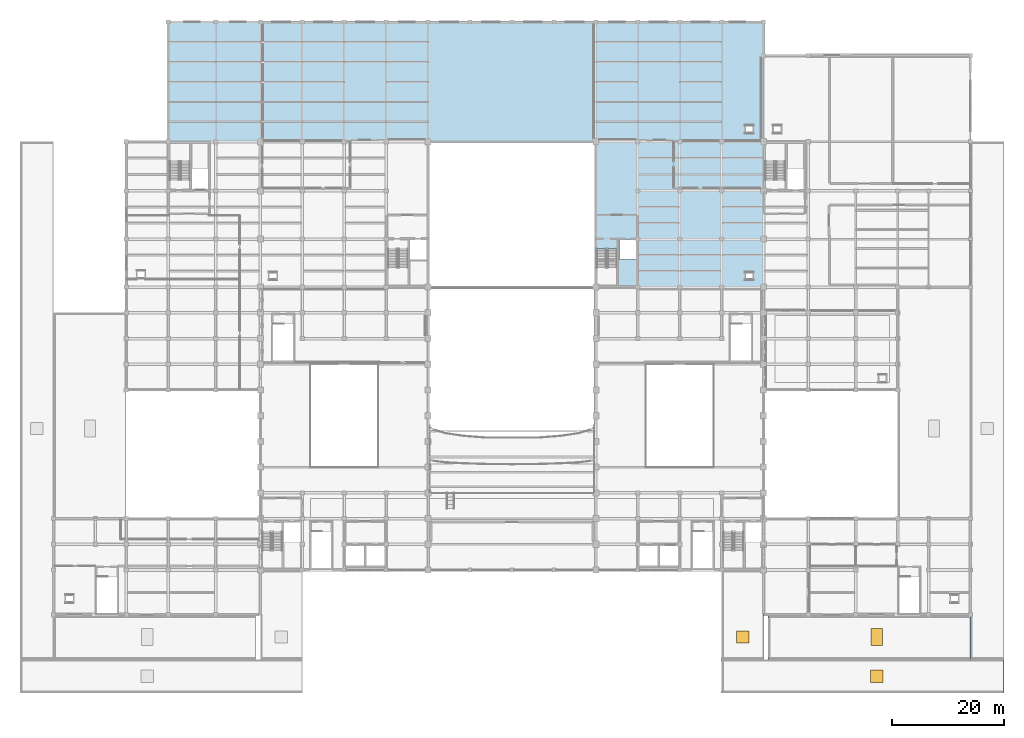
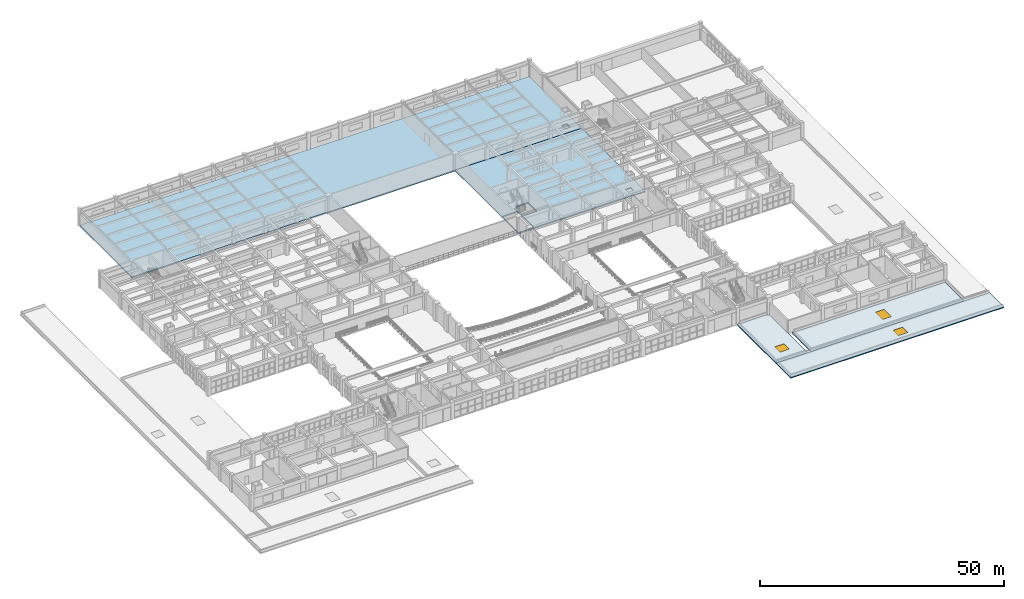
# One storey, part 59 of 90: 5 slabs, 3 windows, 3 openings.
"""IFC4 building model written with IfcOpenShell, lengths in metres."""

from ifc_helpers import new_model, si_unit, direction, frame, origin, origin_2d, place, context, subcontext, project, spatial, polyline, rectangle, outline, extrude, material, layer, layer_set, type_object, element, fill, save


model = new_model("IFC4")

# Units and contexts
model_context = context("Model", 3, precision=1e-05, world=origin(), true_north=direction((0.0, 1.0)))
body_context = subcontext(model_context, "Body", "Model", "MODEL_VIEW")
ifc_project = project(units=[si_unit("LENGTHUNIT", "METRE"), si_unit("AREAUNIT", "SQUARE_METRE"), si_unit("VOLUMEUNIT", "CUBIC_METRE"), si_unit("PLANEANGLEUNIT", "RADIAN"), si_unit("MASSUNIT", "GRAM", prefix="KILO")], contexts=[model_context])

# Site, building, storey
site_placement = place(None, origin())
site = spatial("IfcSite", under=ifc_project, at=site_placement, CompositionType="ELEMENT")
building_placement = place(site_placement, origin())
building = spatial("IfcBuilding", under=site, at=building_placement, Name="Muzn Square Opera House", CompositionType="ELEMENT")
storey_placement = place(building_placement, frame((0.0, 0.0, 9.800048828125)))
storey = spatial("IfcBuildingStorey", under=building, at=storey_placement, Name="L02", CompositionType="ELEMENT", Elevation=9.800048828125)

# Slabs
ifc_material_1 = material(Name="Concrete C40/50", Category="concrete")
ifc_layer_1 = layer(ifc_material_1, 0.280029296875, Name="Concrete C40/50", Category="concrete")
ifc_layer_set_1 = layer_set([ifc_layer_1], Name="Concrete C40/50")
slab_type_1 = type_object("IfcSlabType", Name="Floor Slab 280mm", PredefinedType="FLOOR", material=ifc_layer_set_1)
slab_1_placement = place(storey_placement, frame((0.0, 0.0, -0.280029296875)))
element("IfcSlab", 1, at=slab_1_placement, inside=storey, type_object=slab_type_1, Name="Floor Slab SLB-L02-SIDEE", PredefinedType="FLOOR", context=body_context, shape_type="SweptSolid", body=[
    extrude(outline(polyline([(103.0, 72.60009765625), (133.0, 72.60009765625), (133.0, 98.60009765625), (103.0, 98.60009765625), (103.0, 72.60009765625)]), holes=[polyline([(103.169921875, 72.89990234375), (106.77001953125, 72.89990234375), (106.77001953125, 79.431884765625), (103.169921875, 79.431884765625), (103.169921875, 72.89990234375)]), polyline([(107.199951171875, 77.5), (110.199951171875, 77.5), (110.199951171875, 81.10009765625), (107.199951171875, 81.10009765625), (107.199951171875, 77.5)]), polyline([(129.800048828125, 74.0), (131.10009765625, 74.0), (131.10009765625, 75.199951171875), (129.800048828125, 75.199951171875), (129.800048828125, 74.0)])]), origin(), (0.0, 0.0, 1.0), 0.280029296875),
])
slab_2_placement = place(storey_placement, frame((0.0, 0.0, -0.280029296875)))
element("IfcSlab", 2, at=slab_2_placement, inside=storey, type_object=slab_type_1, Name="Floor Slab SLB-L02-REAR", PredefinedType="FLOOR", context=body_context, shape_type="SweptSolid", body=[
    extrude(outline(polyline([(26.5, 98.60009765625), (133.0, 98.60009765625), (133.0, 120.0), (26.5, 120.0), (26.5, 98.60009765625)]), holes=[polyline([(129.800048828125, 100.199951171875), (131.10009765625, 100.199951171875), (131.10009765625, 101.5), (129.800048828125, 101.5), (129.800048828125, 100.199951171875)])]), origin(), (0.0, 0.0, 1.0), 0.280029296875),
])

# Slab, opening, window
ifc_layer_2 = layer(ifc_material_1, 0.25, Name="Concrete C40/50", Category="concrete")
ifc_layer_set_2 = layer_set([ifc_layer_2], Name="Concrete C40/50")
slab_type_2 = type_object("IfcSlabType", Name="Roof Slab 250mm", PredefinedType="ROOF", material=ifc_layer_set_2)
slab_3_placement = place(storey_placement, frame((0.0, 0.0, -0.25)))
slab_3 = element("IfcSlab", 3, at=slab_3_placement, inside=storey, type_object=slab_type_2, Name="Flat Roof Slab ROOF-L02-COL-ES", PredefinedType="ROOF", context=body_context, shape_type="SweptSolid", body=[
    extrude(outline(polyline([(125.5, 0.0), (176.0, 0.0), (176.0, 6.0), (125.5, 6.0), (125.5, 0.0)])), origin(), (0.0, 0.0, 1.0), 0.25),
])
opening_1_placement = place(slab_3_placement, frame((153.25, 3.0, -0.010009765625)))
opening_1 = element("IfcOpeningElement", 4, at=opening_1_placement, cuts=slab_3, Name="Opening SK-2222", PredefinedType="OPENING", context=body_context, shape_type="SweptSolid", body=[
    extrude(rectangle(XDim=2.199951171875, YDim=2.199951171875, at=origin_2d()), origin(), (0.0, 0.0, 1.0), 0.27001953125),
])
ifc_material_2 = material(Name="Low-E laminated acoustic double glazing", Category="glass")
window_type_1 = type_object("IfcWindowType", Name="Roof Skylight 2200x2200", PartitioningType="SINGLE_PANEL", PredefinedType="SKYLIGHT", material=ifc_material_2)
window_1_placement = place(slab_3_placement, frame((153.25, 3.0, 0.18994140625)))
window_1 = element("IfcWindow", 5, at=window_1_placement, inside=storey, type_object=window_type_1, Name="Acoustic Roof Skylight SKY-L02-03", OverallHeight=2.199951171875, OverallWidth=2.199951171875, PartitioningType="SINGLE_PANEL", PredefinedType="SKYLIGHT", context=body_context, shape_type="SweptSolid", body=[
    extrude(rectangle(XDim=2.199951171875, YDim=2.199951171875, at=origin_2d()), origin(), (0.0, 0.0, 1.0), 0.06005859375),
])
fill(opening_1, window_1)

slab_4_placement = place(storey_placement, frame((0.0, 0.0, -0.25)))
slab_4 = element("IfcSlab", 6, at=slab_4_placement, inside=storey, type_object=slab_type_2, Name="Flat Roof Slab ROOF-L02-COL-EFC", PredefinedType="ROOF", context=body_context, shape_type="SweptSolid", body=[
    extrude(outline(polyline([(125.5, 6.0), (133.0, 6.0), (133.0, 22.0), (125.5, 22.0), (125.5, 6.0)])), origin(), (0.0, 0.0, 1.0), 0.25),
])
opening_2_placement = place(slab_4_placement, frame((129.25, 10.0, -0.010009765625)))
opening_2 = element("IfcOpeningElement", 7, at=opening_2_placement, cuts=slab_4, Name="Opening SK-2222", PredefinedType="OPENING", context=body_context, shape_type="SweptSolid", body=[
    extrude(rectangle(XDim=2.199951171875, YDim=2.199951171875, at=origin_2d()), origin(), (0.0, 0.0, 1.0), 0.27001953125),
])
window_2_placement = place(slab_4_placement, frame((129.25, 10.0, 0.18994140625)))
window_2 = element("IfcWindow", 8, at=window_2_placement, inside=storey, type_object=window_type_1, Name="Acoustic Roof Skylight SKY-L02-04", OverallHeight=2.199951171875, OverallWidth=2.199951171875, PartitioningType="SINGLE_PANEL", PredefinedType="SKYLIGHT", context=body_context, shape_type="SweptSolid", body=[
    extrude(rectangle(XDim=2.199951171875, YDim=2.199951171875, at=origin_2d()), origin(), (0.0, 0.0, 1.0), 0.06005859375),
])
fill(opening_2, window_2)

slab_5_placement = place(storey_placement, frame((0.0, 0.0, -0.25)))
slab_5 = element("IfcSlab", 9, at=slab_5_placement, inside=storey, type_object=slab_type_2, Name="Flat Roof Slab ROOF-L02-ESSTEP", PredefinedType="ROOF", context=body_context, shape_type="SweptSolid", body=[
    extrude(outline(polyline([(133.800048828125, 6.0), (170.0, 6.0), (170.0, 13.800048828125), (133.800048828125, 13.800048828125), (133.800048828125, 6.0)])), origin(), (0.0, 0.0, 1.0), 0.25),
])
opening_3_placement = place(slab_5_placement, frame((153.25, 10.0, -0.010009765625)))
opening_3 = element("IfcOpeningElement", 10, at=opening_3_placement, cuts=slab_5, Name="Opening SK-2030", PredefinedType="OPENING", context=body_context, shape_type="SweptSolid", body=[
    extrude(rectangle(XDim=2.0, YDim=3.0, at=origin_2d()), origin(), (0.0, 0.0, 1.0), 0.27001953125),
])
window_type_2 = type_object("IfcWindowType", Name="Roof Skylight 2000x3000", PartitioningType="SINGLE_PANEL", PredefinedType="SKYLIGHT", material=ifc_material_2)
window_3_placement = place(slab_5_placement, frame((153.25, 10.0, 0.18994140625)))
window_3 = element("IfcWindow", 11, at=window_3_placement, inside=storey, type_object=window_type_2, Name="Acoustic Roof Skylight SKY-L02-10", OverallHeight=3.0, OverallWidth=2.0, PartitioningType="SINGLE_PANEL", PredefinedType="SKYLIGHT", context=body_context, shape_type="SweptSolid", body=[
    extrude(rectangle(XDim=2.0, YDim=3.0, at=origin_2d()), origin(), (0.0, 0.0, 1.0), 0.06005859375),
])
fill(opening_3, window_3)

save(model, "model.ifc")
